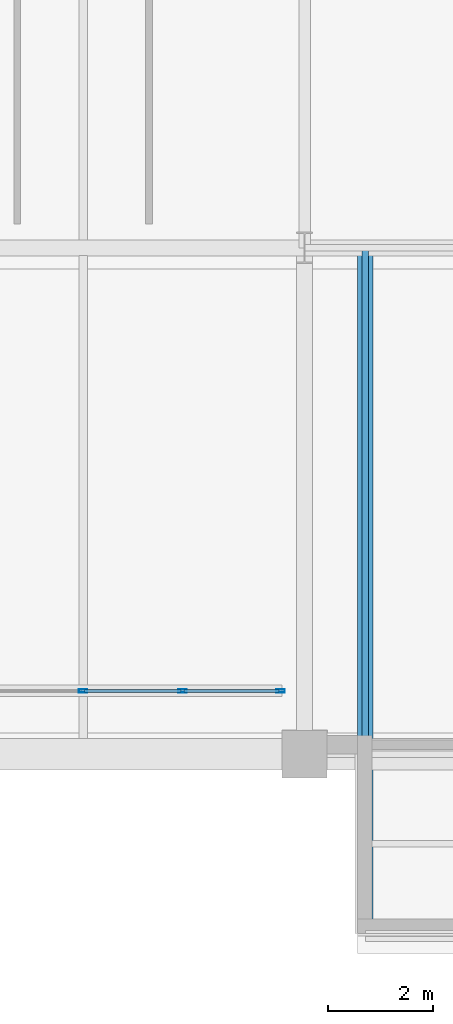
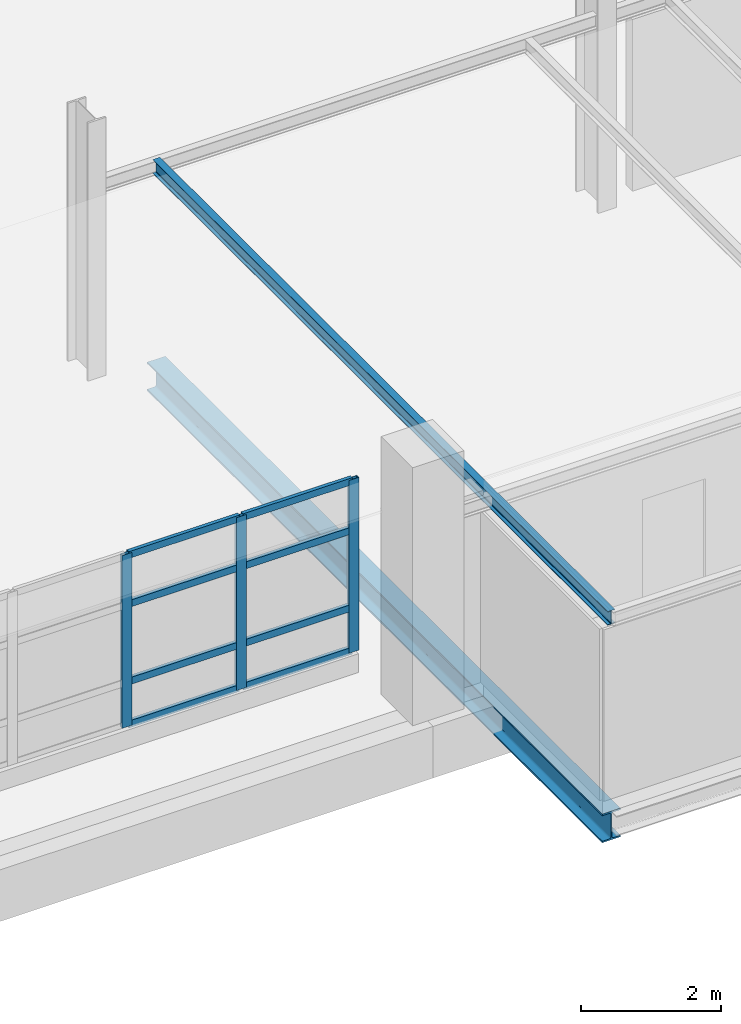
# One storey, part 28 of 130: 11 members, 2 beams, 1 element without a shape of its own.
"""IFC4 building model written with IfcOpenShell, lengths in metres."""

from ifc_helpers import new_model, si_unit, direction, frame, origin, origin_2d, place, context, subcontext, project, spatial, hollow_rectangle, i_section, extrude, material, material_profile, profile_set, type_object, element, aggregate, save


model = new_model("IFC4")

# Units and contexts
model_context = context("Model", 3, precision=1e-05, world=origin(), true_north=direction((0.0, 1.0)))
body_context = subcontext(model_context, "Body", "Model", "MODEL_VIEW")
ifc_project = project(units=[si_unit("LENGTHUNIT", "METRE"), si_unit("AREAUNIT", "SQUARE_METRE"), si_unit("VOLUMEUNIT", "CUBIC_METRE"), si_unit("PLANEANGLEUNIT", "RADIAN"), si_unit("MASSUNIT", "GRAM", prefix="KILO")], contexts=[model_context])

# Site, building, storey
site_placement = place(None, origin())
site = spatial("IfcSite", under=ifc_project, at=site_placement, CompositionType="ELEMENT")
building_placement = place(site_placement, origin())
building = spatial("IfcBuilding", under=site, at=building_placement, Name="Veltarok Museum of Natural Sciences", CompositionType="ELEMENT")
storey_placement = place(building_placement, frame((0.0, 0.0, 12.89990234375)))
storey = spatial("IfcBuildingStorey", under=building, at=storey_placement, Name="L02", CompositionType="ELEMENT", Elevation=12.89990234375)

# Beams
ifc_material_1 = material(Name="Steel S355J2", Category="steel")
ifc_material_profile_1 = material_profile(ifc_material_1, i_section(OverallWidth=0.300048828125, OverallDepth=0.5, WebThickness=0.014404296875, FlangeThickness=0.028076171875, FilletRadius=0.027099609375, at=origin_2d()), Name="HEB 500")
ifc_profile_set_1 = profile_set([ifc_material_profile_1], Name="Steel S355J2")
beam_type_1 = type_object("IfcBeamType", Name="Cabinet Box Cantilever Girder HEB 500", PredefinedType="BEAM", material=ifc_profile_set_1)
beam_1_placement = place(storey_placement, frame((57.949951171875, -3.39990234375, -0.5), z_axis=(0.0, 1.0, 0.0), x_axis=(-1.0, 0.0, 0.0)))
element("IfcBeam", 1, at=beam_1_placement, inside=storey, type_object=beam_type_1, Name="Cabinet Cantilever Girder DB-08-1", PredefinedType="BEAM", context=body_context, shape_type="SweptSolid", body=[
    extrude(i_section(OverallWidth=0.300048828125, OverallDepth=0.5, WebThickness=0.014404296875, FlangeThickness=0.028076171875, FilletRadius=0.027099609375, at=origin_2d()), origin(), (0.0, 0.0, 1.0), 13.0),
])
ifc_material_profile_2 = material_profile(ifc_material_1, i_section(OverallWidth=0.1201171875, OverallDepth=0.239990234375, WebThickness=0.006103515625, FlangeThickness=0.009765625, FilletRadius=0.014892578125, at=origin_2d()), Name="IPE 240")
ifc_profile_set_2 = profile_set([ifc_material_profile_2], Name="Steel S355J2")
beam_type_2 = type_object("IfcBeamType", Name="Cabinet Box Secondary Joist IPE 240", PredefinedType="JOIST", material=ifc_profile_set_2)
beam_2_placement = place(storey_placement, frame((57.949951171875, -3.39990234375, 3.130126953125), z_axis=(0.0, 1.0, 0.0), x_axis=(-1.0, 0.0, 0.0)))
element("IfcBeam", 2, at=beam_2_placement, inside=storey, type_object=beam_type_2, Name="Cabinet Roof Rafter DB-08-1", PredefinedType="JOIST", context=body_context, shape_type="SweptSolid", body=[
    extrude(i_section(OverallWidth=0.1201171875, OverallDepth=0.239990234375, WebThickness=0.006103515625, FlangeThickness=0.009765625, FilletRadius=0.014892578125, at=origin_2d()), origin(), (0.0, 0.0, 1.0), 13.0),
])

# Curtain wall, members
ifc_material_2 = material(Name="Low-iron triple insulated glass", Category="glass")
curtain_wall_type = type_object("IfcCurtainWallType", Name="Curtain Wall System CW-CAB-L02-A-755x301 (V1 Recessed L02 755x301cm)", PredefinedType="NOTDEFINED", material=ifc_material_2)
curtain_wall_placement = place(storey_placement, origin())
curtain_wall = element("IfcCurtainWall", 3, at=curtain_wall_placement, inside=storey, type_object=curtain_wall_type, Name="Curtain Wall CW-CAB-L02-A-755x301 CW-0003", PredefinedType="NOTDEFINED")
ifc_material_3 = material(Name="Thermally broken anodised aluminium", Category="aluminium")
ifc_material_profile_3 = material_profile(ifc_material_3, hollow_rectangle(XDim=0.06005859375, YDim=0.1201171875, WallThickness=0.0048828125, at=origin_2d()), Name="CW TRANSOM 60x120x5")
ifc_profile_set_3 = profile_set([ifc_material_profile_3], Name="Thermally broken anodised aluminium")
member_type_1 = type_object("IfcMemberType", Name="Curtain Wall Horizontal Transom 60x120x5", PredefinedType="USERDEFINED", material=ifc_profile_set_3)
member_1_placement = place(storey_placement, frame((52.6298828125, 1.199951171875, 0.35009765625), z_axis=(1.0, 0.0, 0.0), x_axis=(0.0, 1.0, 0.0)))
member_1 = element("IfcMember", 4, at=member_1_placement, type_object=member_type_1, Name="CW-CAB-L02-A-755x301 transom 3.1", ObjectType="TRANSOM", PredefinedType="USERDEFINED", context=body_context, shape_type="SweptSolid", body=[
    extrude(hollow_rectangle(XDim=0.06005859375, YDim=0.1201171875, WallThickness=0.0048828125, at=origin_2d()), origin(), (0.0, 0.0, 1.0), 1.82763671875),
])
member_2_placement = place(storey_placement, frame((52.6298828125, 1.199951171875, 1.10009765625), z_axis=(1.0, 0.0, 0.0), x_axis=(0.0, 1.0, 0.0)))
member_2 = element("IfcMember", 5, at=member_2_placement, type_object=member_type_1, Name="CW-CAB-L02-A-755x301 transom 3.2", ObjectType="TRANSOM", PredefinedType="USERDEFINED", context=body_context, shape_type="SweptSolid", body=[
    extrude(hollow_rectangle(XDim=0.06005859375, YDim=0.1201171875, WallThickness=0.0048828125, at=origin_2d()), origin(), (0.0, 0.0, 1.0), 1.82763671875),
])
member_3_placement = place(storey_placement, frame((52.6298828125, 1.199951171875, 2.4501953125), z_axis=(1.0, 0.0, 0.0), x_axis=(0.0, 1.0, 0.0)))
member_3 = element("IfcMember", 6, at=member_3_placement, type_object=member_type_1, Name="CW-CAB-L02-A-755x301 transom 3.3", ObjectType="TRANSOM", PredefinedType="USERDEFINED", context=body_context, shape_type="SweptSolid", body=[
    extrude(hollow_rectangle(XDim=0.06005859375, YDim=0.1201171875, WallThickness=0.0048828125, at=origin_2d()), origin(), (0.0, 0.0, 1.0), 1.82763671875),
])
member_4_placement = place(storey_placement, frame((52.6298828125, 1.199951171875, 3.30517578125), z_axis=(1.0, 0.0, 0.0), x_axis=(0.0, 1.0, 0.0)))
member_4 = element("IfcMember", 7, at=member_4_placement, type_object=member_type_1, Name="CW-CAB-L02-A-755x301 transom 3.4", ObjectType="TRANSOM", PredefinedType="USERDEFINED", context=body_context, shape_type="SweptSolid", body=[
    extrude(hollow_rectangle(XDim=0.06005859375, YDim=0.1201171875, WallThickness=0.0048828125, at=origin_2d()), origin(), (0.0, 0.0, 1.0), 1.82763671875),
])
member_5_placement = place(storey_placement, frame((54.517578125, 1.199951171875, 0.35009765625), z_axis=(1.0, 0.0, 0.0), x_axis=(0.0, 1.0, 0.0)))
member_5 = element("IfcMember", 8, at=member_5_placement, type_object=member_type_1, Name="CW-CAB-L02-A-755x301 transom 4.1", ObjectType="TRANSOM", PredefinedType="USERDEFINED", context=body_context, shape_type="SweptSolid", body=[
    extrude(hollow_rectangle(XDim=0.06005859375, YDim=0.1201171875, WallThickness=0.0048828125, at=origin_2d()), origin(), (0.0, 0.0, 1.0), 1.79736328125),
])
member_6_placement = place(storey_placement, frame((54.517578125, 1.199951171875, 1.10009765625), z_axis=(1.0, 0.0, 0.0), x_axis=(0.0, 1.0, 0.0)))
member_6 = element("IfcMember", 9, at=member_6_placement, type_object=member_type_1, Name="CW-CAB-L02-A-755x301 transom 4.2", ObjectType="TRANSOM", PredefinedType="USERDEFINED", context=body_context, shape_type="SweptSolid", body=[
    extrude(hollow_rectangle(XDim=0.06005859375, YDim=0.1201171875, WallThickness=0.0048828125, at=origin_2d()), origin(), (0.0, 0.0, 1.0), 1.79736328125),
])
member_7_placement = place(storey_placement, frame((54.517578125, 1.199951171875, 2.4501953125), z_axis=(1.0, 0.0, 0.0), x_axis=(0.0, 1.0, 0.0)))
member_7 = element("IfcMember", 10, at=member_7_placement, type_object=member_type_1, Name="CW-CAB-L02-A-755x301 transom 4.3", ObjectType="TRANSOM", PredefinedType="USERDEFINED", context=body_context, shape_type="SweptSolid", body=[
    extrude(hollow_rectangle(XDim=0.06005859375, YDim=0.1201171875, WallThickness=0.0048828125, at=origin_2d()), origin(), (0.0, 0.0, 1.0), 1.79736328125),
])
member_8_placement = place(storey_placement, frame((54.517578125, 1.199951171875, 3.30517578125), z_axis=(1.0, 0.0, 0.0), x_axis=(0.0, 1.0, 0.0)))
member_8 = element("IfcMember", 11, at=member_8_placement, type_object=member_type_1, Name="CW-CAB-L02-A-755x301 transom 4.4", ObjectType="TRANSOM", PredefinedType="USERDEFINED", context=body_context, shape_type="SweptSolid", body=[
    extrude(hollow_rectangle(XDim=0.06005859375, YDim=0.1201171875, WallThickness=0.0048828125, at=origin_2d()), origin(), (0.0, 0.0, 1.0), 1.79736328125),
])
ifc_material_profile_4 = material_profile(ifc_material_3, hollow_rectangle(XDim=0.06005859375, YDim=0.159912109375, WallThickness=0.0048828125, at=origin_2d()), Name="CW MULLION 60x160x5")
ifc_profile_set_4 = profile_set([ifc_material_profile_4], Name="Thermally broken anodised aluminium")
member_type_2 = type_object("IfcMemberType", Name="Curtain Wall Vertical Mullion 60x160x5", PredefinedType="MULLION", material=ifc_profile_set_4)
member_9_placement = place(storey_placement, frame((52.60009765625, 1.199951171875, 0.320068359375), z_axis=(0.0, 0.0, 1.0), x_axis=(0.0, 1.0, 0.0)))
member_9 = element("IfcMember", 12, at=member_9_placement, type_object=member_type_2, Name="CW-CAB-L02-A-755x301 mullion 3", PredefinedType="MULLION", context=body_context, shape_type="SweptSolid", body=[
    extrude(hollow_rectangle(XDim=0.06005859375, YDim=0.159912109375, WallThickness=0.0048828125, at=origin_2d()), origin(), (0.0, 0.0, 1.0), 3.01513671875),
])
member_10_placement = place(storey_placement, frame((54.487548828125, 1.199951171875, 0.320068359375), z_axis=(0.0, 0.0, 1.0), x_axis=(0.0, 1.0, 0.0)))
member_10 = element("IfcMember", 13, at=member_10_placement, type_object=member_type_2, Name="CW-CAB-L02-A-755x301 mullion 4", PredefinedType="MULLION", context=body_context, shape_type="SweptSolid", body=[
    extrude(hollow_rectangle(XDim=0.06005859375, YDim=0.159912109375, WallThickness=0.0048828125, at=origin_2d()), origin(), (0.0, 0.0, 1.0), 3.01513671875),
])
member_11_placement = place(storey_placement, frame((56.344970703125, 1.199951171875, 0.320068359375), z_axis=(0.0, 0.0, 1.0), x_axis=(0.0, 1.0, 0.0)))
member_11 = element("IfcMember", 14, at=member_11_placement, type_object=member_type_2, Name="CW-CAB-L02-A-755x301 mullion 5", PredefinedType="MULLION", context=body_context, shape_type="SweptSolid", body=[
    extrude(hollow_rectangle(XDim=0.06005859375, YDim=0.159912109375, WallThickness=0.0048828125, at=origin_2d()), origin(), (0.0, 0.0, 1.0), 3.01513671875),
])
aggregate(curtain_wall, [member_9, member_10, member_11, member_1, member_2, member_3, member_4, member_5, member_6, member_7, member_8])

save(model, "model.ifc")
